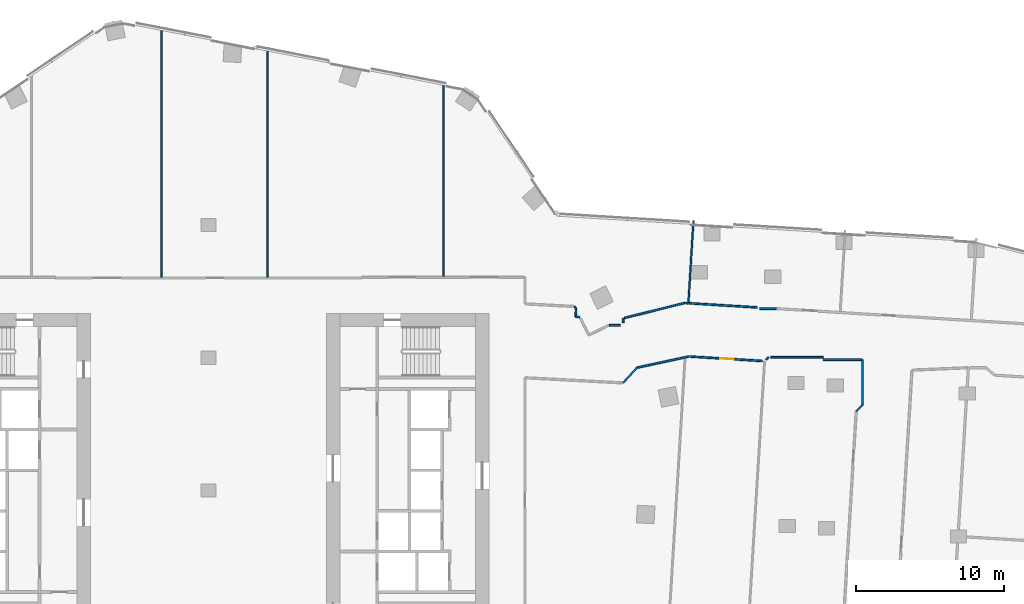
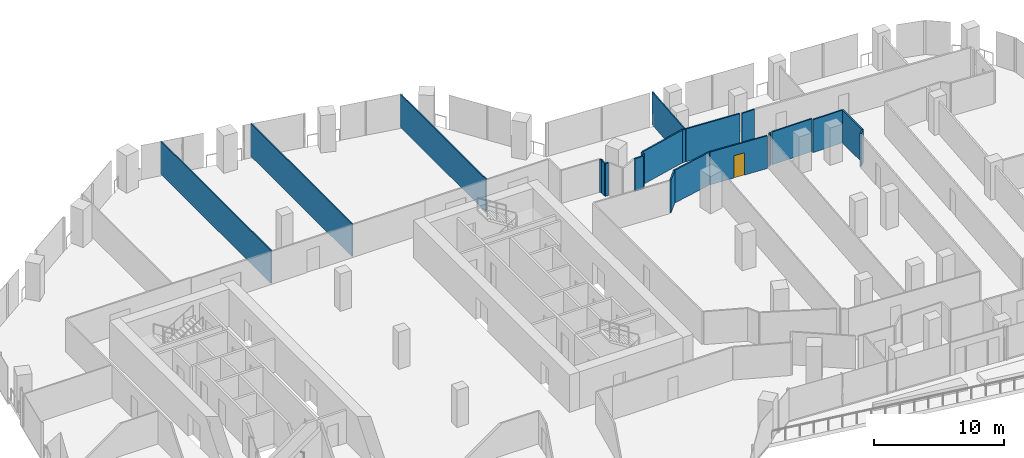
# One storey, part 27 of 34: 21 walls, 1 door, 1 opening.
"""IFC4 building model written with IfcOpenShell, lengths in metres."""

from ifc_helpers import new_model, si_unit, direction, frame, frame_2d, origin, place, context, subcontext, project, spatial, rectangle, extrude, material, layer, layer_set, type_object, element, fill, save


model = new_model("IFC4")

# Units and contexts
model_context = context("Model", 3, precision=1e-05, world=origin(), true_north=direction((0.0, 1.0)))
body_context = subcontext(model_context, "Body", "Model", "MODEL_VIEW")
ifc_project = project(units=[si_unit("LENGTHUNIT", "METRE"), si_unit("AREAUNIT", "SQUARE_METRE"), si_unit("VOLUMEUNIT", "CUBIC_METRE"), si_unit("PLANEANGLEUNIT", "RADIAN"), si_unit("MASSUNIT", "GRAM", prefix="KILO")], contexts=[model_context])

# Site, building, storey
site_placement = place(None, origin())
site = spatial("IfcSite", under=ifc_project, at=site_placement, CompositionType="ELEMENT")
building_placement = place(site_placement, origin())
building = spatial("IfcBuilding", under=site, at=building_placement, Name="Orlundy Tower", CompositionType="ELEMENT")
storey_placement = place(building_placement, frame((0.0, 0.0, 145.60009765625)))
storey = spatial("IfcBuildingStorey", under=building, at=storey_placement, Name="L37", CompositionType="ELEMENT", Elevation=145.60009765625)

# Walls
ifc_material_1 = material(Name="Gypsum board partition")
ifc_layer_1 = layer(ifc_material_1, 0.10009765625)
ifc_layer_set_1 = layer_set([ifc_layer_1], Name="Floor partition 100")
wall_type_1 = type_object("IfcWallType", Name="Floor partition 100", PredefinedType="PARTITIONING", material=ifc_layer_set_1)
wall_1_placement = place(storey_placement, frame((32.529052734375, 12.695068359375, 0.0), z_axis=(0.0, 0.0, 1.0), x_axis=(0.060986686306, 0.998138579604, 0.0)))
element("IfcWall", 1, at=wall_1_placement, inside=storey, type_object=wall_type_1, Name="wall-int-L37-125", PredefinedType="PARTITIONING", context=body_context, shape_type="SweptSolid", body=[
    extrude(rectangle(XDim=5.592529296875, YDim=0.10009765625, at=frame_2d((2.79638671875, 0.0))), origin(), (0.0, 0.0, 1.0), 3.079833984375),
])
wall_2_placement = place(storey_placement, frame((15.9208984375, 14.513916015625, 0.0), z_axis=(0.0, 0.0, 1.0), x_axis=(0.0, 1.0, 0.0)))
element("IfcWall", 2, at=wall_2_placement, inside=storey, type_object=wall_type_1, Name="wall-int-L37-135", PredefinedType="PARTITIONING", context=body_context, shape_type="SweptSolid", body=[
    extrude(rectangle(XDim=13.2080078125, YDim=0.10009765625, at=frame_2d((6.60400390625, 0.0))), origin(), (0.0, 0.0, 1.0), 3.079833984375),
])
wall_3_placement = place(storey_placement, frame((4.0, 14.462890625, 0.0), z_axis=(0.0, 0.0, 1.0), x_axis=(0.0, 1.0, 0.0)))
element("IfcWall", 3, at=wall_3_placement, inside=storey, type_object=wall_type_1, Name="wall-int-L37-136", PredefinedType="PARTITIONING", context=body_context, shape_type="SweptSolid", body=[
    extrude(rectangle(XDim=15.576171875, YDim=0.10009765625, at=frame_2d((7.7880859375, 0.0))), origin(), (0.0, 0.0, 1.0), 3.079833984375),
])
wall_4_placement = place(storey_placement, frame((-3.195068359375, 14.462890625, 0.0), z_axis=(0.0, 0.0, 1.0), x_axis=(0.0, 1.0, 0.0)))
element("IfcWall", 4, at=wall_4_placement, inside=storey, type_object=wall_type_1, Name="wall-int-L37-142", PredefinedType="PARTITIONING", context=body_context, shape_type="SweptSolid", body=[
    extrude(rectangle(XDim=16.97412109375, YDim=0.10009765625, at=frame_2d((8.487060546875, 0.0))), origin(), (0.0, 0.0, 1.0), 3.079833984375),
])
ifc_material_2 = material(Name="Gypsum board partition, double layer")
ifc_layer_2 = layer(ifc_material_2, 0.125)
ifc_layer_set_2 = layer_set([ifc_layer_2], Name="Floor partition 125")
wall_type_2 = type_object("IfcWallType", Name="Floor partition 125", PredefinedType="PARTITIONING", material=ifc_layer_set_2)
wall_5_placement = place(storey_placement, frame((24.823974609375, 12.472900390625, 0.0), z_axis=(0.0, 0.0, 1.0), x_axis=(0.437897211912, -0.899025045146, 0.0)))
element("IfcWall", 5, at=wall_5_placement, inside=storey, type_object=wall_type_2, Name="wall-int-L37-006", PredefinedType="PARTITIONING", context=body_context, shape_type="SweptSolid", body=[
    extrude(rectangle(XDim=0.210205078125, YDim=0.125, at=frame_2d((0.10498046875, 0.0))), origin(), (0.0, 0.0, 1.0), 3.079833984375),
])

# Wall, opening, door
wall_6_placement = place(storey_placement, frame((37.5458984375, 8.780029296875, 0.0), z_axis=(0.0, 0.0, 1.0), x_axis=(-0.998138783045, 0.060983356598, 0.0)))
wall_6 = element("IfcWall", 6, at=wall_6_placement, inside=storey, type_object=wall_type_2, Name="wall-int-L37-040", PredefinedType="PARTITIONING", context=body_context, shape_type="SweptSolid", body=[
    extrude(rectangle(XDim=4.936279296875, YDim=0.125, at=frame_2d((2.46826171875, 0.0))), origin(), (0.0, 0.0, 1.0), 3.079833984375),
])
opening_placement = place(wall_6_placement, frame((1.955078125, 0.0, 0.0)))
opening = element("IfcOpeningElement", 7, at=opening_placement, cuts=wall_6, Name="Opening 28103", PredefinedType="OPENING", context=body_context, shape_type="SweptSolid", body=[
    extrude(rectangle(XDim=0.89990234375, YDim=2.10009765625, at=frame_2d((0.449951171875, 1.050048828125))), frame((0.0, 0.072509765625, 0.0), z_axis=(0.0, -1.0, 0.0), x_axis=(1.0, 0.0, 0.0)), (0.0, 0.0, 1.0), 0.14501953125),
])
ifc_material_3 = material(Name="Timber door leaf", Category="wood")
door_type = type_object("IfcDoorType", Name="Floor door single 900 FD30S", OperationType="NOTDEFINED", PredefinedType="DOOR", material=ifc_material_3)
door_placement = place(opening_placement, origin())
door = element("IfcDoor", 8, at=door_placement, inside=storey, type_object=door_type, Name="Door 28103", OperationType="SINGLE_SWING_LEFT", OverallHeight=2.10009765625, OverallWidth=0.89990234375, PredefinedType="DOOR", context=body_context, shape_type="SweptSolid", body=[
    extrude(rectangle(XDim=0.89990234375, YDim=2.10009765625, at=frame_2d((0.449951171875, 1.050048828125))), frame((0.0, 0.02490234375, 0.0), z_axis=(0.0, -1.0, 0.0), x_axis=(1.0, 0.0, 0.0)), (0.0, 0.0, 1.0), 0.050048828125),
])
fill(opening, door)

# Walls
wall_7_placement = place(storey_placement, frame((32.281005859375, 12.7099609375, 0.0), z_axis=(0.0, 0.0, 1.0), x_axis=(0.998202495197, -0.059931449023, 0.0)))
element("IfcWall", 9, at=wall_7_placement, inside=storey, type_object=wall_type_2, Name="wall-int-L37-042", PredefinedType="PARTITIONING", context=body_context, shape_type="SweptSolid", body=[
    extrude(rectangle(XDim=0.24853515625, YDim=0.125, at=frame_2d((0.124267578125, 0.0))), origin(), (0.0, 0.0, 1.0), 3.079833984375),
])
wall_8_placement = place(storey_placement, frame((32.5791015625, 12.69189453125, 0.0), z_axis=(0.0, 0.0, 1.0), x_axis=(0.99812401512, -0.061224590168, 0.0)))
element("IfcWall", 10, at=wall_8_placement, inside=storey, type_object=wall_type_2, Name="wall-int-L37-044", PredefinedType="PARTITIONING", context=body_context, shape_type="SweptSolid", body=[
    extrude(rectangle(XDim=4.6376953125, YDim=0.125, at=frame_2d((2.31884765625, 0.0))), origin(), (0.0, 0.0, 1.0), 3.079833984375),
])
wall_9_placement = place(storey_placement, frame((24.888916015625, 11.76904296875, 0.0), z_axis=(0.0, 0.0, 1.0), x_axis=(0.998613133858, -0.052647971343, 0.0)))
element("IfcWall", 11, at=wall_9_placement, inside=storey, type_object=wall_type_2, Name="wall-int-L37-046", PredefinedType="PARTITIONING", context=body_context, shape_type="SweptSolid", body=[
    extrude(rectangle(XDim=0.28759765625, YDim=0.125, at=frame_2d((0.143798828125, 0.0))), origin(), (0.0, 0.0, 1.0), 3.079833984375),
])
wall_10_placement = place(storey_placement, frame((43.906005859375, 5.37109375, 0.0), z_axis=(0.0, 0.0, 1.0), x_axis=(0.707310353012, 0.706903150737, 0.0)))
element("IfcWall", 12, at=wall_10_placement, inside=storey, type_object=wall_type_2, Name="wall-int-L37-068", PredefinedType="PARTITIONING", context=body_context, shape_type="SweptSolid", body=[
    extrude(rectangle(XDim=0.599609375, YDim=0.125, at=frame_2d((0.2998046875, 0.0))), origin(), (0.0, 0.0, 1.0), 3.079833984375),
])
wall_11_placement = place(storey_placement, frame((41.66796875, 8.8701171875, 0.0), z_axis=(0.0, 0.0, 1.0), x_axis=(1.0, 0.0, 0.0)))
element("IfcWall", 13, at=wall_11_placement, inside=storey, type_object=wall_type_2, Name="wall-int-L37-071", PredefinedType="PARTITIONING", context=body_context, shape_type="SweptSolid", body=[
    extrude(rectangle(XDim=2.59912109375, YDim=0.125, at=frame_2d((1.299560546875, 0.0))), origin(), (0.0, 0.0, 1.0), 3.079833984375),
])
wall_12_placement = place(storey_placement, frame((38.1279296875, 9.032958984375, 0.0), z_axis=(0.0, 0.0, 1.0), x_axis=(1.0, 0.0, 0.0)))
element("IfcWall", 14, at=wall_12_placement, inside=storey, type_object=wall_type_2, Name="wall-int-L37-072", PredefinedType="PARTITIONING", context=body_context, shape_type="SweptSolid", body=[
    extrude(rectangle(XDim=3.5400390625, YDim=0.125, at=frame_2d((1.77001953125, 0.0))), origin(), (0.0, 0.0, 1.0), 3.079833984375),
])
wall_13_placement = place(storey_placement, frame((27.179931640625, 11.19189453125, 0.0), z_axis=(0.0, 0.0, 1.0), x_axis=(1.0, 0.0, 0.0)))
element("IfcWall", 15, at=wall_13_placement, inside=storey, type_object=wall_type_2, Name="wall-int-L37-073", PredefinedType="PARTITIONING", context=body_context, shape_type="SweptSolid", body=[
    extrude(rectangle(XDim=0.739990234375, YDim=0.125, at=frame_2d((0.3701171875, 0.0))), origin(), (0.0, 0.0, 1.0), 3.079833984375),
])
wall_14_placement = place(storey_placement, frame((37.35888671875, 12.3310546875, 0.0), z_axis=(0.0, 0.0, 1.0), x_axis=(1.0, 0.0, 0.0)))
element("IfcWall", 16, at=wall_14_placement, inside=storey, type_object=wall_type_2, Name="wall-int-L37-074", PredefinedType="PARTITIONING", context=body_context, shape_type="SweptSolid", body=[
    extrude(rectangle(XDim=1.110107421875, YDim=0.125, at=frame_2d((0.55517578125, 0.0))), origin(), (0.0, 0.0, 1.0), 3.079833984375),
])
wall_15_placement = place(storey_placement, frame((29.0439453125, 8.324951171875, 0.0), z_axis=(0.0, 0.0, 1.0), x_axis=(0.977387992434, 0.211453806411, 0.0)))
element("IfcWall", 17, at=wall_15_placement, inside=storey, type_object=wall_type_2, Name="wall-int-L37-080", PredefinedType="PARTITIONING", context=body_context, shape_type="SweptSolid", body=[
    extrude(rectangle(XDim=3.59423828125, YDim=0.125, at=frame_2d((1.797119140625, 0.0))), origin(), (0.0, 0.0, 1.0), 3.079833984375),
])
wall_16_placement = place(storey_placement, frame((32.281005859375, 12.7099609375, 0.0), z_axis=(0.0, 0.0, 1.0), x_axis=(-0.970728736882, -0.240178515673, 0.0)))
element("IfcWall", 18, at=wall_16_placement, inside=storey, type_object=wall_type_2, Name="wall-int-L37-081", PredefinedType="PARTITIONING", context=body_context, shape_type="SweptSolid", body=[
    extrude(rectangle(XDim=4.217529296875, YDim=0.125, at=frame_2d((2.10888671875, 0.0))), origin(), (0.0, 0.0, 1.0), 3.079833984375),
])
wall_17_placement = place(storey_placement, frame((37.79296875, 8.865966796875, 0.0), z_axis=(0.0, 0.0, 1.0), x_axis=(0.727374754597, 0.68624045813, 0.0)))
element("IfcWall", 19, at=wall_17_placement, inside=storey, type_object=wall_type_2, Name="wall-int-L37-089", PredefinedType="PARTITIONING", context=body_context, shape_type="SweptSolid", body=[
    extrude(rectangle(XDim=0.243408203125, YDim=0.125, at=frame_2d((0.12158203125, 0.0))), origin(), (0.0, 0.0, 1.0), 3.079833984375),
])
wall_18_placement = place(storey_placement, frame((24.888916015625, 11.76904296875, 0.0), z_axis=(0.0, 0.0, 1.0), x_axis=(0.052558833123, 0.998617829333, 0.0)))
element("IfcWall", 20, at=wall_18_placement, inside=storey, type_object=wall_type_2, Name="wall-int-L37-126", PredefinedType="PARTITIONING", context=body_context, shape_type="SweptSolid", body=[
    extrude(rectangle(XDim=0.515625, YDim=0.125, at=frame_2d((0.2578125, 0.0))), origin(), (0.0, 0.0, 1.0), 3.079833984375),
])
wall_19_placement = place(storey_placement, frame((28.10400390625, 7.29296875, 0.0), z_axis=(0.0, 0.0, 1.0), x_axis=(0.673368934503, 0.739306619777, 0.0)))
element("IfcWall", 21, at=wall_19_placement, inside=storey, type_object=wall_type_2, Name="wall-int-L37-127", PredefinedType="PARTITIONING", context=body_context, shape_type="SweptSolid", body=[
    extrude(rectangle(XDim=1.39599609375, YDim=0.125, at=frame_2d((0.697998046875, 0.0))), origin(), (0.0, 0.0, 1.0), 3.079833984375),
])
wall_20_placement = place(storey_placement, frame((44.330078125, 5.794921875, 0.0), z_axis=(0.0, 0.0, 1.0), x_axis=(0.0, 1.0, 0.0)))
element("IfcWall", 22, at=wall_20_placement, inside=storey, type_object=wall_type_2, Name="wall-int-L37-130", PredefinedType="PARTITIONING", context=body_context, shape_type="SweptSolid", body=[
    extrude(rectangle(XDim=3.0751953125, YDim=0.125, at=frame_2d((1.53759765625, 0.0))), origin(), (0.0, 0.0, 1.0), 3.079833984375),
])
wall_21_placement = place(storey_placement, frame((28.10791015625, 11.381103515625, 0.0), z_axis=(0.0, 0.0, 1.0), x_axis=(0.0, 1.0, 0.0)))
element("IfcWall", 23, at=wall_21_placement, inside=storey, type_object=wall_type_2, Name="wall-int-L37-132", PredefinedType="PARTITIONING", context=body_context, shape_type="SweptSolid", body=[
    extrude(rectangle(XDim=0.296875, YDim=0.125, at=frame_2d((0.1484375, 0.0))), origin(), (0.0, 0.0, 1.0), 3.079833984375),
])

save(model, "model.ifc")
